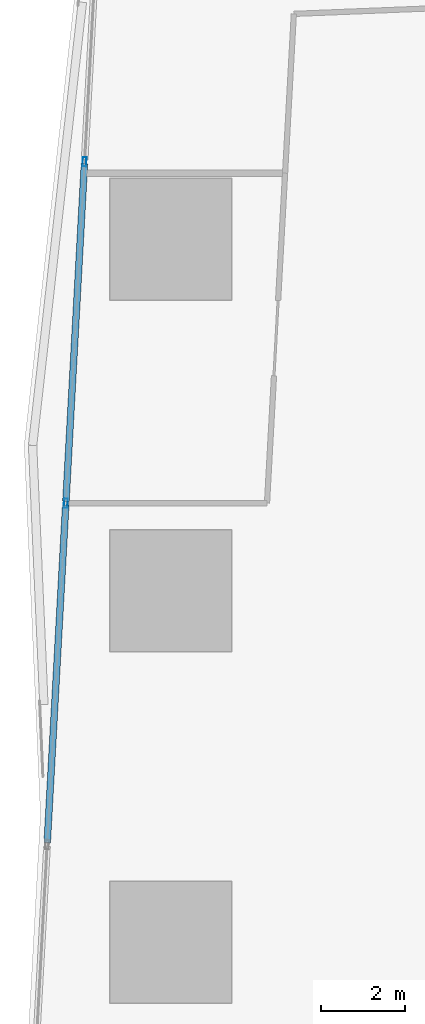
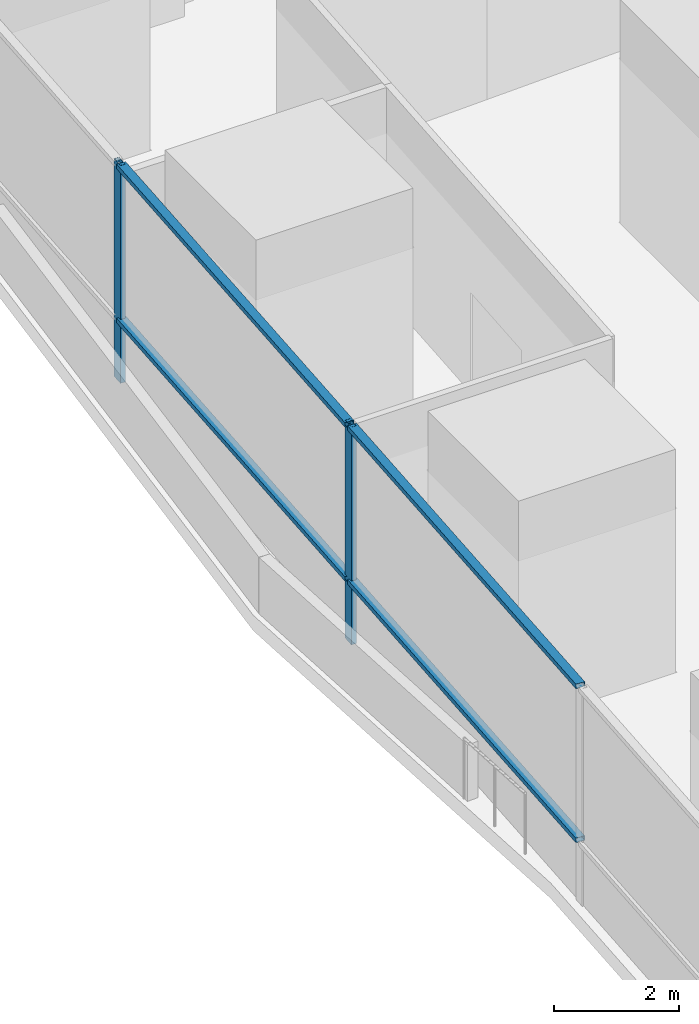
# One storey, part 8 of 44: 6 members, 1 element without a shape of its own.
"""IFC4 building model written with IfcOpenShell, lengths in metres."""

from ifc_helpers import new_model, si_unit, direction, frame, origin, origin_2d, place, context, subcontext, project, spatial, hollow_rectangle, extrude, material, material_profile, profile_set, type_object, element, aggregate, save


model = new_model("IFC4")

# Units and contexts
model_context = context("Model", 3, precision=1e-05, world=origin(), true_north=direction((0.0, 1.0)))
body_context = subcontext(model_context, "Body", "Model", "MODEL_VIEW")
ifc_project = project(units=[si_unit("LENGTHUNIT", "METRE"), si_unit("AREAUNIT", "SQUARE_METRE"), si_unit("VOLUMEUNIT", "CUBIC_METRE"), si_unit("PLANEANGLEUNIT", "RADIAN"), si_unit("MASSUNIT", "GRAM", prefix="KILO")], contexts=[model_context])

# Site, building, storey
site_placement = place(None, origin())
site = spatial("IfcSite", under=ifc_project, at=site_placement, CompositionType="ELEMENT")
building_placement = place(site_placement, origin())
building = spatial("IfcBuilding", under=site, at=building_placement, Name="Rekha Terrace Tower", CompositionType="ELEMENT")
storey_placement = place(building_placement, frame((0.0, 0.0, 90.800048828125)))
storey = spatial("IfcBuildingStorey", under=building, at=storey_placement, Name="L22", CompositionType="ELEMENT", Elevation=90.800048828125)

# Curtain wall, members
ifc_material_1 = material(Name="Aluminium framing", Category="aluminium")
curtain_wall_type = type_object("IfcCurtainWallType", Name="CW5 sky garden glazing", PredefinedType="USERDEFINED", material=ifc_material_1)
curtain_wall_placement = place(storey_placement, origin())
curtain_wall = element("IfcCurtainWall", 1, at=curtain_wall_placement, inside=storey, type_object=curtain_wall_type, Name="CW5 sky garden curtain wall", ObjectType="SKY GARDEN CURTAIN WALL", PredefinedType="USERDEFINED")
ifc_material_2 = material(Name="Aluminium mullion section", Category="aluminium")
ifc_material_profile_1 = material_profile(ifc_material_2, hollow_rectangle(XDim=0.090087890625, YDim=0.219970703125, WallThickness=0.00390625, at=origin_2d()), Name="AL RHS 90x220")
ifc_profile_set_1 = profile_set([ifc_material_profile_1], Name="Aluminium mullion section")
member_type_1 = type_object("IfcMemberType", Name="CW5 mullion RHS 90 x 220", PredefinedType="MULLION", material=ifc_profile_set_1)
member_1_placement = place(storey_placement, frame((6.342529296875, 52.249755859375, 0.0), z_axis=(0.0, 0.0, 1.0), x_axis=(0.998500513179, -0.054742352725, 0.0)))
member_1 = element("IfcMember", 2, at=member_1_placement, type_object=member_type_1, Name="CW5 mullion 2", PredefinedType="MULLION", context=body_context, shape_type="SweptSolid", body=[
    extrude(hollow_rectangle(XDim=0.090087890625, YDim=0.219970703125, WallThickness=0.00390625, at=origin_2d()), origin(), (0.0, 0.0, 1.0), 4.25),
])
member_2_placement = place(storey_placement, frame((5.895263671875, 44.092041015625, 0.0), z_axis=(0.0, 0.0, 1.0), x_axis=(0.998500513179, -0.054742352725, 0.0)))
member_2 = element("IfcMember", 3, at=member_2_placement, type_object=member_type_1, Name="CW5 mullion 3", PredefinedType="MULLION", context=body_context, shape_type="SweptSolid", body=[
    extrude(hollow_rectangle(XDim=0.090087890625, YDim=0.219970703125, WallThickness=0.00390625, at=origin_2d()), origin(), (0.0, 0.0, 1.0), 4.25),
])
ifc_material_3 = material(Name="Aluminium transom section", Category="aluminium")
ifc_material_profile_2 = material_profile(ifc_material_3, hollow_rectangle(XDim=0.159912109375, YDim=0.090087890625, WallThickness=0.0029296875, at=origin_2d()), Name="AL RHS 160x90")
ifc_profile_set_2 = profile_set([ifc_material_profile_2], Name="Aluminium transom section")
member_type_2 = type_object("IfcMemberType", Name="CW5 transom RHS 90 x 160", PredefinedType="USERDEFINED", material=ifc_profile_set_2)
member_3_placement = place(storey_placement, frame((6.340087890625, 52.204833984375, 1.199951171875), z_axis=(-0.05475041243, -0.998500071276, 0.0), x_axis=(0.998500071276, -0.05475041243, 0.0)))
member_3 = element("IfcMember", 4, at=member_3_placement, type_object=member_type_2, Name="CW5 transom 2.2", ObjectType="TRANSOM", PredefinedType="USERDEFINED", context=body_context, shape_type="SweptSolid", body=[
    extrude(hollow_rectangle(XDim=0.159912109375, YDim=0.090087890625, WallThickness=0.0029296875, at=origin_2d()), origin(), (0.0, 0.0, 1.0), 8.080078125),
])
member_4_placement = place(storey_placement, frame((6.340087890625, 52.204833984375, 4.204833984375), z_axis=(-0.05475041243, -0.998500071276, 0.0), x_axis=(0.998500071276, -0.05475041243, 0.0)))
member_4 = element("IfcMember", 5, at=member_4_placement, type_object=member_type_2, Name="CW5 transom 2.3", ObjectType="TRANSOM", PredefinedType="USERDEFINED", context=body_context, shape_type="SweptSolid", body=[
    extrude(hollow_rectangle(XDim=0.159912109375, YDim=0.090087890625, WallThickness=0.0029296875, at=origin_2d()), origin(), (0.0, 0.0, 1.0), 8.080078125),
])
member_5_placement = place(storey_placement, frame((5.892822265625, 44.047119140625, 1.199951171875), z_axis=(-0.05475041243, -0.998500071276, 0.0), x_axis=(0.998500071276, -0.05475041243, 0.0)))
member_5 = element("IfcMember", 6, at=member_5_placement, type_object=member_type_2, Name="CW5 transom 3.2", ObjectType="TRANSOM", PredefinedType="USERDEFINED", context=body_context, shape_type="SweptSolid", body=[
    extrude(hollow_rectangle(XDim=0.159912109375, YDim=0.090087890625, WallThickness=0.0029296875, at=origin_2d()), origin(), (0.0, 0.0, 1.0), 8.080078125),
])
member_6_placement = place(storey_placement, frame((5.892822265625, 44.047119140625, 4.204833984375), z_axis=(-0.05475041243, -0.998500071276, 0.0), x_axis=(0.998500071276, -0.05475041243, 0.0)))
member_6 = element("IfcMember", 7, at=member_6_placement, type_object=member_type_2, Name="CW5 transom 3.3", ObjectType="TRANSOM", PredefinedType="USERDEFINED", context=body_context, shape_type="SweptSolid", body=[
    extrude(hollow_rectangle(XDim=0.159912109375, YDim=0.090087890625, WallThickness=0.0029296875, at=origin_2d()), origin(), (0.0, 0.0, 1.0), 8.080078125),
])
aggregate(curtain_wall, [member_1, member_2, member_3, member_4, member_5, member_6])

save(model, "model.ifc")
